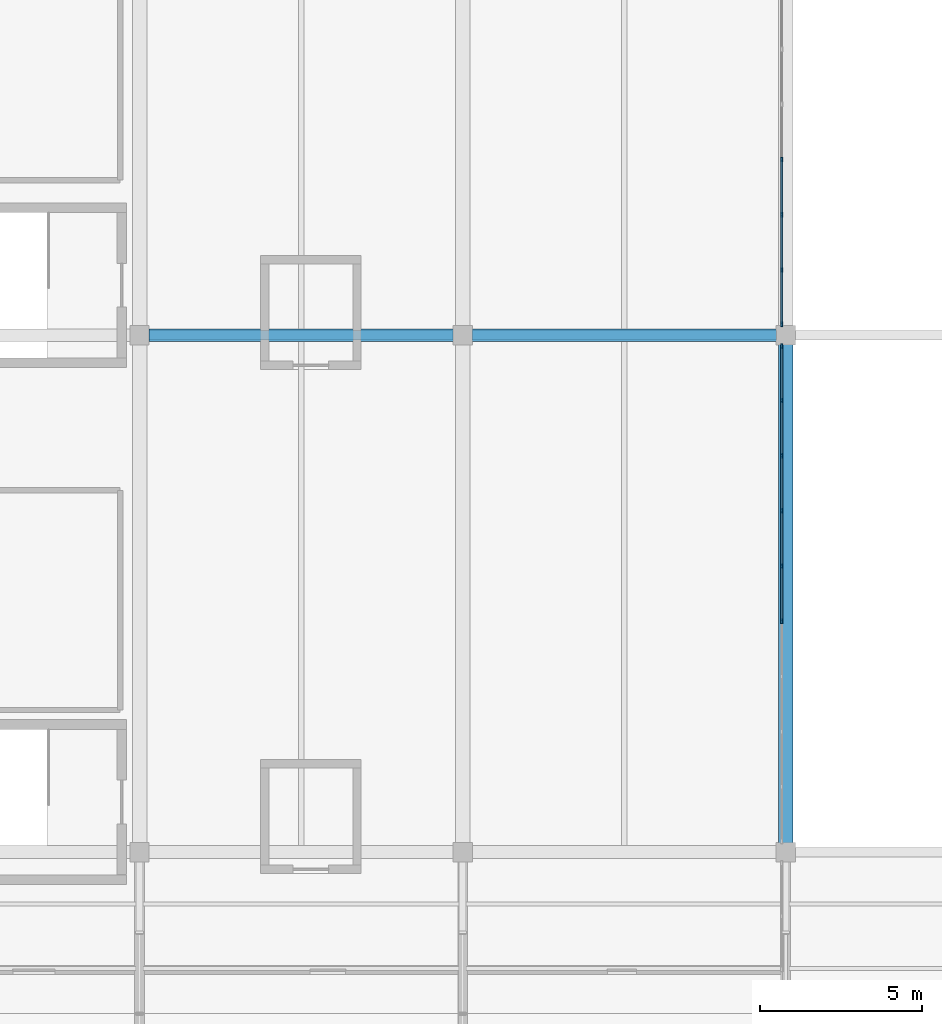
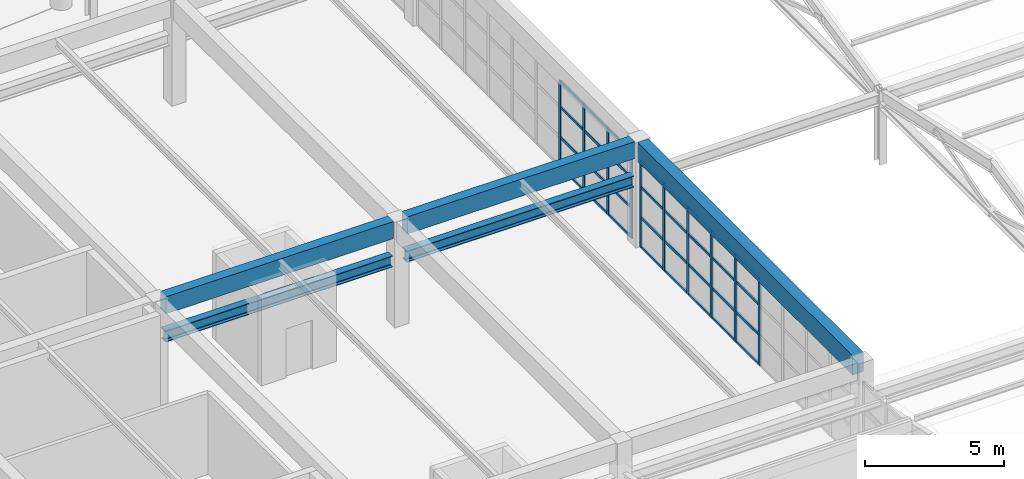
# One storey, part 26 of 109: 42 members, 5 beams, 2 elements without a shape of their own.
"""IFC4 building model written with IfcOpenShell, lengths in metres."""

from ifc_helpers import new_model, si_unit, direction, frame, origin, origin_2d, place, context, subcontext, project, spatial, rectangle, i_section, extrude, material, layer, layer_set, material_profile, profile_set, type_object, element, aggregate, save


model = new_model("IFC4")

# Units and contexts
model_context = context("Model", 3, precision=1e-05, world=origin(), true_north=direction((0.0, 1.0)))
body_context = subcontext(model_context, "Body", "Model", "MODEL_VIEW")
ifc_project = project(units=[si_unit("LENGTHUNIT", "METRE"), si_unit("AREAUNIT", "SQUARE_METRE"), si_unit("VOLUMEUNIT", "CUBIC_METRE"), si_unit("PLANEANGLEUNIT", "RADIAN"), si_unit("MASSUNIT", "GRAM", prefix="KILO")], contexts=[model_context])

# Site, building, storey
site_placement = place(None, origin())
site = spatial("IfcSite", under=ifc_project, at=site_placement, CompositionType="ELEMENT")
building_placement = place(site_placement, origin())
building = spatial("IfcBuilding", under=site, at=building_placement, Name="Kivolera Central Railway Station", CompositionType="ELEMENT")
storey_placement = place(building_placement, frame((0.0, 0.0, 9.60009765625)))
storey = spatial("IfcBuildingStorey", under=building, at=storey_placement, Name="L02", CompositionType="ELEMENT", Elevation=9.60009765625)

# Beams
ifc_material_1 = material(Name="Concrete C40/50", Category="concrete")
ifc_material_profile_1 = material_profile(ifc_material_1, rectangle(XDim=0.39990234375, YDim=0.75, at=origin_2d()), Name="RC 400x750")
ifc_profile_set_1 = profile_set([ifc_material_profile_1], Name="Concrete C40/50")
beam_type_1 = type_object("IfcBeamType", Name="BM-RC-400x750", PredefinedType="BEAM", material=ifc_profile_set_1)
for number, where, z_axis, x_axis, name in (
    (1, (68.287109375, 32.0, 4.224853515625), (1.0, 0.0, 0.0), (0.0, 1.0, 0.0), "L02 Over-Track Bridge Transverse Girder C:7-8"),
    (2, (78.287109375, 32.0, 4.224853515625), (1.0, 0.0, 0.0), (0.0, 1.0, 0.0), "L02 Over-Track Bridge Transverse Girder C:8-9"),
):
    element("IfcBeam", number, at=place(storey_placement, frame(where, z_axis=z_axis, x_axis=x_axis)), inside=storey, type_object=beam_type_1, Name=name, PredefinedType="BEAM", context=body_context, shape_type="SweptSolid", body=[
        extrude(rectangle(XDim=0.39990234375, YDim=0.75, at=origin_2d()), origin(), (0.0, 0.0, 1.0), 9.42578125),
    ])
ifc_material_profile_2 = material_profile(ifc_material_1, rectangle(XDim=0.449951171875, YDim=0.85009765625, at=origin_2d()), Name="RC 450x850")
ifc_profile_set_2 = profile_set([ifc_material_profile_2], Name="Concrete C40/50")
beam_type_2 = type_object("IfcBeamType", Name="BM-RC-450x850", PredefinedType="BEAM", material=ifc_profile_set_2)
beam_placement = place(storey_placement, frame((88.0, 16.287109375, 4.1748046875), z_axis=(0.0, 1.0, 0.0), x_axis=(-1.0, 0.0, 0.0)))
element("IfcBeam", 3, at=beam_placement, inside=storey, type_object=beam_type_2, Name="L02 Over-Track Concourse Bridge Girder 9:B-C", PredefinedType="BEAM", context=body_context, shape_type="SweptSolid", body=[
    extrude(rectangle(XDim=0.449951171875, YDim=0.85009765625, at=origin_2d()), origin(), (0.0, 0.0, 1.0), 15.42578125),
])
ifc_material_2 = material(Name="Steel S355", Category="steel")
ifc_material_profile_3 = material_profile(ifc_material_2, i_section(OverallWidth=0.300048828125, OverallDepth=0.489990234375, WebThickness=0.011962890625, FlangeThickness=0.02294921875, FilletRadius=0.027099609375, at=origin_2d()), Name="HEA 500")
ifc_profile_set_3 = profile_set([ifc_material_profile_3], Name="Steel S355")
beam_type_3 = type_object("IfcBeamType", Name="BM-SHD-HEA500", PredefinedType="BEAM", material=ifc_profile_set_3)
for number, where, z_axis, x_axis, name in (
    (4, (68.2919921875, 32.0, 2.81982421875), (1.0, 0.0, 0.0), (0.0, 1.0, 0.0), "Train Shed Eave Girder C:7-8"),
    (5, (78.2919921875, 32.0, 2.81982421875), (1.0, 0.0, 0.0), (0.0, 1.0, 0.0), "Train Shed Eave Girder C:8-9"),
):
    element("IfcBeam", number, at=place(storey_placement, frame(where, z_axis=z_axis, x_axis=x_axis)), inside=storey, type_object=beam_type_3, Name=name, PredefinedType="BEAM", context=body_context, shape_type="SweptSolid", body=[
        extrude(i_section(OverallWidth=0.300048828125, OverallDepth=0.489990234375, WebThickness=0.011962890625, FlangeThickness=0.02294921875, FilletRadius=0.027099609375, at=origin_2d()), origin(), (0.0, 0.0, 1.0), 9.416015625),
    ])

# Curtain wall, members
ifc_material_3 = material(Name="Anodised aluminium", Category="aluminium")
ifc_layer = layer(ifc_material_3, 0.179931640625, Name="Anodised aluminium")
ifc_layer_set = layer_set([ifc_layer], Name="Anodised aluminium")
curtain_wall_type = type_object("IfcCurtainWallType", Name="CW-SYS-18", PredefinedType="NOTDEFINED", material=ifc_layer_set)
curtain_wall_1_placement = place(storey_placement, origin())
curtain_wall_1 = element("IfcCurtainWall", 6, at=curtain_wall_1_placement, inside=storey, type_object=curtain_wall_type, Name="L02 Curtain Wall CW-L02-BRGE-2", PredefinedType="NOTDEFINED")
ifc_material_profile_4 = material_profile(ifc_material_3, rectangle(XDim=0.06005859375, YDim=0.14990234375, at=origin_2d()), Name="ALU MULL 60x150")
ifc_profile_set_4 = profile_set([ifc_material_profile_4], Name="Anodised aluminium")
member_type_1 = type_object("IfcMemberType", Name="CWM-MUL-2", PredefinedType="MULLION", material=ifc_profile_set_4)
member_1_placement = place(storey_placement, frame((87.8798828125, 31.659912109375, -0.005126953125), z_axis=(0.0, 0.0, 1.0), x_axis=(1.0, 0.0, 0.0)))
member_1 = element("IfcMember", 7, at=member_1_placement, type_object=member_type_1, Name="CW-18 mullion 1", PredefinedType="MULLION", context=body_context, shape_type="SweptSolid", body=[
    extrude(rectangle(XDim=0.06005859375, YDim=0.14990234375, at=origin_2d()), origin(), (0.0, 0.0, 1.0), 3.804931640625),
])
member_2_placement = place(storey_placement, frame((87.8798828125, 29.981201171875, -0.005126953125), z_axis=(0.0, 0.0, 1.0), x_axis=(1.0, 0.0, 0.0)))
member_2 = element("IfcMember", 8, at=member_2_placement, type_object=member_type_1, Name="CW-18 mullion 2", PredefinedType="MULLION", context=body_context, shape_type="SweptSolid", body=[
    extrude(rectangle(XDim=0.06005859375, YDim=0.14990234375, at=origin_2d()), origin(), (0.0, 0.0, 1.0), 3.804931640625),
])
member_3_placement = place(storey_placement, frame((87.8798828125, 28.272216796875, -0.005126953125), z_axis=(0.0, 0.0, 1.0), x_axis=(1.0, 0.0, 0.0)))
member_3 = element("IfcMember", 9, at=member_3_placement, type_object=member_type_1, Name="CW-18 mullion 3", PredefinedType="MULLION", context=body_context, shape_type="SweptSolid", body=[
    extrude(rectangle(XDim=0.06005859375, YDim=0.14990234375, at=origin_2d()), origin(), (0.0, 0.0, 1.0), 3.804931640625),
])
member_4_placement = place(storey_placement, frame((87.8798828125, 26.563232421875, -0.005126953125), z_axis=(0.0, 0.0, 1.0), x_axis=(1.0, 0.0, 0.0)))
member_4 = element("IfcMember", 10, at=member_4_placement, type_object=member_type_1, Name="CW-18 mullion 4", PredefinedType="MULLION", context=body_context, shape_type="SweptSolid", body=[
    extrude(rectangle(XDim=0.06005859375, YDim=0.14990234375, at=origin_2d()), origin(), (0.0, 0.0, 1.0), 3.804931640625),
])
member_5_placement = place(storey_placement, frame((87.8798828125, 24.8544921875, -0.005126953125), z_axis=(0.0, 0.0, 1.0), x_axis=(1.0, 0.0, 0.0)))
member_5 = element("IfcMember", 11, at=member_5_placement, type_object=member_type_1, Name="CW-18 mullion 5", PredefinedType="MULLION", context=body_context, shape_type="SweptSolid", body=[
    extrude(rectangle(XDim=0.06005859375, YDim=0.14990234375, at=origin_2d()), origin(), (0.0, 0.0, 1.0), 3.804931640625),
])
member_6_placement = place(storey_placement, frame((87.8798828125, 23.1455078125, -0.005126953125), z_axis=(0.0, 0.0, 1.0), x_axis=(1.0, 0.0, 0.0)))
member_6 = element("IfcMember", 12, at=member_6_placement, type_object=member_type_1, Name="CW-18 mullion 6", PredefinedType="MULLION", context=body_context, shape_type="SweptSolid", body=[
    extrude(rectangle(XDim=0.06005859375, YDim=0.14990234375, at=origin_2d()), origin(), (0.0, 0.0, 1.0), 3.804931640625),
])

curtain_wall_2_placement = place(storey_placement, origin())
curtain_wall_2 = element("IfcCurtainWall", 13, at=curtain_wall_2_placement, inside=storey, type_object=curtain_wall_type, Name="L02 Curtain Wall CW-L02-BRGE-3", PredefinedType="NOTDEFINED")
member_7_placement = place(storey_placement, frame((87.8798828125, 37.436767578125, -0.005126953125), z_axis=(0.0, 0.0, 1.0), x_axis=(1.0, 0.0, 0.0)))
member_7 = element("IfcMember", 14, at=member_7_placement, type_object=member_type_1, Name="CW-18 mullion 7", PredefinedType="MULLION", context=body_context, shape_type="SweptSolid", body=[
    extrude(rectangle(XDim=0.06005859375, YDim=0.14990234375, at=origin_2d()), origin(), (0.0, 0.0, 1.0), 3.804931640625),
])
member_8_placement = place(storey_placement, frame((87.8798828125, 35.727783203125, -0.005126953125), z_axis=(0.0, 0.0, 1.0), x_axis=(1.0, 0.0, 0.0)))
member_8 = element("IfcMember", 15, at=member_8_placement, type_object=member_type_1, Name="CW-18 mullion 8", PredefinedType="MULLION", context=body_context, shape_type="SweptSolid", body=[
    extrude(rectangle(XDim=0.06005859375, YDim=0.14990234375, at=origin_2d()), origin(), (0.0, 0.0, 1.0), 3.804931640625),
])
member_9_placement = place(storey_placement, frame((87.8798828125, 34.018798828125, -0.005126953125), z_axis=(0.0, 0.0, 1.0), x_axis=(1.0, 0.0, 0.0)))
member_9 = element("IfcMember", 16, at=member_9_placement, type_object=member_type_1, Name="CW-18 mullion 9", PredefinedType="MULLION", context=body_context, shape_type="SweptSolid", body=[
    extrude(rectangle(XDim=0.06005859375, YDim=0.14990234375, at=origin_2d()), origin(), (0.0, 0.0, 1.0), 3.804931640625),
])
member_10_placement = place(storey_placement, frame((87.8798828125, 32.340087890625, -0.005126953125), z_axis=(0.0, 0.0, 1.0), x_axis=(1.0, 0.0, 0.0)))
member_10 = element("IfcMember", 17, at=member_10_placement, type_object=member_type_1, Name="CW-18 mullion 10", PredefinedType="MULLION", context=body_context, shape_type="SweptSolid", body=[
    extrude(rectangle(XDim=0.06005859375, YDim=0.14990234375, at=origin_2d()), origin(), (0.0, 0.0, 1.0), 3.804931640625),
])

# Member
ifc_material_profile_5 = material_profile(ifc_material_3, rectangle(XDim=0.06005859375, YDim=0.1201171875, at=origin_2d()), Name="ALU TRAN 60x120")
ifc_profile_set_5 = profile_set([ifc_material_profile_5], Name="Anodised aluminium")
member_type_2 = type_object("IfcMemberType", Name="CWM-TRN-2", PredefinedType="USERDEFINED", material=ifc_profile_set_5)
member_11_placement = place(storey_placement, frame((87.8798828125, 31.6298828125, 0.02978515625), z_axis=(0.0, -1.0, 0.0), x_axis=(1.0, 0.0, 0.0)))
member_11 = element("IfcMember", 18, at=member_11_placement, type_object=member_type_2, Name="CW-18 transom 1.1", ObjectType="TRANSOM", PredefinedType="USERDEFINED", context=body_context, shape_type="SweptSolid", body=[
    extrude(rectangle(XDim=0.06005859375, YDim=0.1201171875, at=origin_2d()), origin(), (0.0, 0.0, 1.0), 1.61865234375),
])

member_12_placement = place(storey_placement, frame((87.8798828125, 31.6298828125, 1.329833984375), z_axis=(0.0, -1.0, 0.0), x_axis=(1.0, 0.0, 0.0)))
member_12 = element("IfcMember", 19, at=member_12_placement, type_object=member_type_2, Name="CW-18 transom 1.2", ObjectType="TRANSOM", PredefinedType="USERDEFINED", context=body_context, shape_type="SweptSolid", body=[
    extrude(rectangle(XDim=0.06005859375, YDim=0.1201171875, at=origin_2d()), origin(), (0.0, 0.0, 1.0), 1.61865234375),
])

member_13_placement = place(storey_placement, frame((87.8798828125, 31.6298828125, 2.659912109375), z_axis=(0.0, -1.0, 0.0), x_axis=(1.0, 0.0, 0.0)))
member_13 = element("IfcMember", 20, at=member_13_placement, type_object=member_type_2, Name="CW-18 transom 1.3", ObjectType="TRANSOM", PredefinedType="USERDEFINED", context=body_context, shape_type="SweptSolid", body=[
    extrude(rectangle(XDim=0.06005859375, YDim=0.1201171875, at=origin_2d()), origin(), (0.0, 0.0, 1.0), 1.61865234375),
])

member_14_placement = place(storey_placement, frame((87.8798828125, 31.6298828125, 3.77001953125), z_axis=(0.0, -1.0, 0.0), x_axis=(1.0, 0.0, 0.0)))
member_14 = element("IfcMember", 21, at=member_14_placement, type_object=member_type_2, Name="CW-18 transom 1.4", ObjectType="TRANSOM", PredefinedType="USERDEFINED", context=body_context, shape_type="SweptSolid", body=[
    extrude(rectangle(XDim=0.06005859375, YDim=0.1201171875, at=origin_2d()), origin(), (0.0, 0.0, 1.0), 1.61865234375),
])

member_15_placement = place(storey_placement, frame((87.8798828125, 29.951171875, 0.02978515625), z_axis=(0.0, -1.0, 0.0), x_axis=(1.0, 0.0, 0.0)))
member_15 = element("IfcMember", 22, at=member_15_placement, type_object=member_type_2, Name="CW-18 transom 2.1", ObjectType="TRANSOM", PredefinedType="USERDEFINED", context=body_context, shape_type="SweptSolid", body=[
    extrude(rectangle(XDim=0.06005859375, YDim=0.1201171875, at=origin_2d()), origin(), (0.0, 0.0, 1.0), 1.64892578125),
])

member_16_placement = place(storey_placement, frame((87.8798828125, 29.951171875, 1.329833984375), z_axis=(0.0, -1.0, 0.0), x_axis=(1.0, 0.0, 0.0)))
member_16 = element("IfcMember", 23, at=member_16_placement, type_object=member_type_2, Name="CW-18 transom 2.2", ObjectType="TRANSOM", PredefinedType="USERDEFINED", context=body_context, shape_type="SweptSolid", body=[
    extrude(rectangle(XDim=0.06005859375, YDim=0.1201171875, at=origin_2d()), origin(), (0.0, 0.0, 1.0), 1.64892578125),
])

member_17_placement = place(storey_placement, frame((87.8798828125, 29.951171875, 2.659912109375), z_axis=(0.0, -1.0, 0.0), x_axis=(1.0, 0.0, 0.0)))
member_17 = element("IfcMember", 24, at=member_17_placement, type_object=member_type_2, Name="CW-18 transom 2.3", ObjectType="TRANSOM", PredefinedType="USERDEFINED", context=body_context, shape_type="SweptSolid", body=[
    extrude(rectangle(XDim=0.06005859375, YDim=0.1201171875, at=origin_2d()), origin(), (0.0, 0.0, 1.0), 1.64892578125),
])

member_18_placement = place(storey_placement, frame((87.8798828125, 29.951171875, 3.77001953125), z_axis=(0.0, -1.0, 0.0), x_axis=(1.0, 0.0, 0.0)))
member_18 = element("IfcMember", 25, at=member_18_placement, type_object=member_type_2, Name="CW-18 transom 2.4", ObjectType="TRANSOM", PredefinedType="USERDEFINED", context=body_context, shape_type="SweptSolid", body=[
    extrude(rectangle(XDim=0.06005859375, YDim=0.1201171875, at=origin_2d()), origin(), (0.0, 0.0, 1.0), 1.64892578125),
])

member_19_placement = place(storey_placement, frame((87.8798828125, 28.2421875, 0.02978515625), z_axis=(0.0, -1.0, 0.0), x_axis=(1.0, 0.0, 0.0)))
member_19 = element("IfcMember", 26, at=member_19_placement, type_object=member_type_2, Name="CW-18 transom 3.1", ObjectType="TRANSOM", PredefinedType="USERDEFINED", context=body_context, shape_type="SweptSolid", body=[
    extrude(rectangle(XDim=0.06005859375, YDim=0.1201171875, at=origin_2d()), origin(), (0.0, 0.0, 1.0), 1.64892578125),
])

member_20_placement = place(storey_placement, frame((87.8798828125, 28.2421875, 1.329833984375), z_axis=(0.0, -1.0, 0.0), x_axis=(1.0, 0.0, 0.0)))
member_20 = element("IfcMember", 27, at=member_20_placement, type_object=member_type_2, Name="CW-18 transom 3.2", ObjectType="TRANSOM", PredefinedType="USERDEFINED", context=body_context, shape_type="SweptSolid", body=[
    extrude(rectangle(XDim=0.06005859375, YDim=0.1201171875, at=origin_2d()), origin(), (0.0, 0.0, 1.0), 1.64892578125),
])

member_21_placement = place(storey_placement, frame((87.8798828125, 28.2421875, 2.659912109375), z_axis=(0.0, -1.0, 0.0), x_axis=(1.0, 0.0, 0.0)))
member_21 = element("IfcMember", 28, at=member_21_placement, type_object=member_type_2, Name="CW-18 transom 3.3", ObjectType="TRANSOM", PredefinedType="USERDEFINED", context=body_context, shape_type="SweptSolid", body=[
    extrude(rectangle(XDim=0.06005859375, YDim=0.1201171875, at=origin_2d()), origin(), (0.0, 0.0, 1.0), 1.64892578125),
])

member_22_placement = place(storey_placement, frame((87.8798828125, 28.2421875, 3.77001953125), z_axis=(0.0, -1.0, 0.0), x_axis=(1.0, 0.0, 0.0)))
member_22 = element("IfcMember", 29, at=member_22_placement, type_object=member_type_2, Name="CW-18 transom 3.4", ObjectType="TRANSOM", PredefinedType="USERDEFINED", context=body_context, shape_type="SweptSolid", body=[
    extrude(rectangle(XDim=0.06005859375, YDim=0.1201171875, at=origin_2d()), origin(), (0.0, 0.0, 1.0), 1.64892578125),
])

member_23_placement = place(storey_placement, frame((87.8798828125, 26.533447265625, 0.02978515625), z_axis=(0.0, -1.0, 0.0), x_axis=(1.0, 0.0, 0.0)))
member_23 = element("IfcMember", 30, at=member_23_placement, type_object=member_type_2, Name="CW-18 transom 4.1", ObjectType="TRANSOM", PredefinedType="USERDEFINED", context=body_context, shape_type="SweptSolid", body=[
    extrude(rectangle(XDim=0.06005859375, YDim=0.1201171875, at=origin_2d()), origin(), (0.0, 0.0, 1.0), 1.64892578125),
])

member_24_placement = place(storey_placement, frame((87.8798828125, 26.533447265625, 1.329833984375), z_axis=(0.0, -1.0, 0.0), x_axis=(1.0, 0.0, 0.0)))
member_24 = element("IfcMember", 31, at=member_24_placement, type_object=member_type_2, Name="CW-18 transom 4.2", ObjectType="TRANSOM", PredefinedType="USERDEFINED", context=body_context, shape_type="SweptSolid", body=[
    extrude(rectangle(XDim=0.06005859375, YDim=0.1201171875, at=origin_2d()), origin(), (0.0, 0.0, 1.0), 1.64892578125),
])

member_25_placement = place(storey_placement, frame((87.8798828125, 26.533447265625, 2.659912109375), z_axis=(0.0, -1.0, 0.0), x_axis=(1.0, 0.0, 0.0)))
member_25 = element("IfcMember", 32, at=member_25_placement, type_object=member_type_2, Name="CW-18 transom 4.3", ObjectType="TRANSOM", PredefinedType="USERDEFINED", context=body_context, shape_type="SweptSolid", body=[
    extrude(rectangle(XDim=0.06005859375, YDim=0.1201171875, at=origin_2d()), origin(), (0.0, 0.0, 1.0), 1.64892578125),
])

member_26_placement = place(storey_placement, frame((87.8798828125, 26.533447265625, 3.77001953125), z_axis=(0.0, -1.0, 0.0), x_axis=(1.0, 0.0, 0.0)))
member_26 = element("IfcMember", 33, at=member_26_placement, type_object=member_type_2, Name="CW-18 transom 4.4", ObjectType="TRANSOM", PredefinedType="USERDEFINED", context=body_context, shape_type="SweptSolid", body=[
    extrude(rectangle(XDim=0.06005859375, YDim=0.1201171875, at=origin_2d()), origin(), (0.0, 0.0, 1.0), 1.64892578125),
])

member_27_placement = place(storey_placement, frame((87.8798828125, 24.824462890625, 0.02978515625), z_axis=(0.0, -1.0, 0.0), x_axis=(1.0, 0.0, 0.0)))
member_27 = element("IfcMember", 34, at=member_27_placement, type_object=member_type_2, Name="CW-18 transom 5.1", ObjectType="TRANSOM", PredefinedType="USERDEFINED", context=body_context, shape_type="SweptSolid", body=[
    extrude(rectangle(XDim=0.06005859375, YDim=0.1201171875, at=origin_2d()), origin(), (0.0, 0.0, 1.0), 1.64892578125),
])

member_28_placement = place(storey_placement, frame((87.8798828125, 24.824462890625, 1.329833984375), z_axis=(0.0, -1.0, 0.0), x_axis=(1.0, 0.0, 0.0)))
member_28 = element("IfcMember", 35, at=member_28_placement, type_object=member_type_2, Name="CW-18 transom 5.2", ObjectType="TRANSOM", PredefinedType="USERDEFINED", context=body_context, shape_type="SweptSolid", body=[
    extrude(rectangle(XDim=0.06005859375, YDim=0.1201171875, at=origin_2d()), origin(), (0.0, 0.0, 1.0), 1.64892578125),
])

member_29_placement = place(storey_placement, frame((87.8798828125, 24.824462890625, 2.659912109375), z_axis=(0.0, -1.0, 0.0), x_axis=(1.0, 0.0, 0.0)))
member_29 = element("IfcMember", 36, at=member_29_placement, type_object=member_type_2, Name="CW-18 transom 5.3", ObjectType="TRANSOM", PredefinedType="USERDEFINED", context=body_context, shape_type="SweptSolid", body=[
    extrude(rectangle(XDim=0.06005859375, YDim=0.1201171875, at=origin_2d()), origin(), (0.0, 0.0, 1.0), 1.64892578125),
])

member_30_placement = place(storey_placement, frame((87.8798828125, 24.824462890625, 3.77001953125), z_axis=(0.0, -1.0, 0.0), x_axis=(1.0, 0.0, 0.0)))
member_30 = element("IfcMember", 37, at=member_30_placement, type_object=member_type_2, Name="CW-18 transom 5.4", ObjectType="TRANSOM", PredefinedType="USERDEFINED", context=body_context, shape_type="SweptSolid", body=[
    extrude(rectangle(XDim=0.06005859375, YDim=0.1201171875, at=origin_2d()), origin(), (0.0, 0.0, 1.0), 1.64892578125),
])

aggregate(curtain_wall_1, [member_1, member_2, member_3, member_4, member_5, member_6, member_11, member_12, member_13, member_14, member_15, member_16, member_17, member_18, member_19, member_20, member_21, member_22, member_23, member_24, member_25, member_26, member_27, member_28, member_29, member_30])

member_31_placement = place(storey_placement, frame((87.8798828125, 37.40673828125, 0.02978515625), z_axis=(0.0, -1.0, 0.0), x_axis=(1.0, 0.0, 0.0)))
member_31 = element("IfcMember", 38, at=member_31_placement, type_object=member_type_2, Name="CW-18 transom 7.1", ObjectType="TRANSOM", PredefinedType="USERDEFINED", context=body_context, shape_type="SweptSolid", body=[
    extrude(rectangle(XDim=0.06005859375, YDim=0.1201171875, at=origin_2d()), origin(), (0.0, 0.0, 1.0), 1.64892578125),
])

member_32_placement = place(storey_placement, frame((87.8798828125, 37.40673828125, 1.329833984375), z_axis=(0.0, -1.0, 0.0), x_axis=(1.0, 0.0, 0.0)))
member_32 = element("IfcMember", 39, at=member_32_placement, type_object=member_type_2, Name="CW-18 transom 7.2", ObjectType="TRANSOM", PredefinedType="USERDEFINED", context=body_context, shape_type="SweptSolid", body=[
    extrude(rectangle(XDim=0.06005859375, YDim=0.1201171875, at=origin_2d()), origin(), (0.0, 0.0, 1.0), 1.64892578125),
])

member_33_placement = place(storey_placement, frame((87.8798828125, 37.40673828125, 2.659912109375), z_axis=(0.0, -1.0, 0.0), x_axis=(1.0, 0.0, 0.0)))
member_33 = element("IfcMember", 40, at=member_33_placement, type_object=member_type_2, Name="CW-18 transom 7.3", ObjectType="TRANSOM", PredefinedType="USERDEFINED", context=body_context, shape_type="SweptSolid", body=[
    extrude(rectangle(XDim=0.06005859375, YDim=0.1201171875, at=origin_2d()), origin(), (0.0, 0.0, 1.0), 1.64892578125),
])

member_34_placement = place(storey_placement, frame((87.8798828125, 37.40673828125, 3.77001953125), z_axis=(0.0, -1.0, 0.0), x_axis=(1.0, 0.0, 0.0)))
member_34 = element("IfcMember", 41, at=member_34_placement, type_object=member_type_2, Name="CW-18 transom 7.4", ObjectType="TRANSOM", PredefinedType="USERDEFINED", context=body_context, shape_type="SweptSolid", body=[
    extrude(rectangle(XDim=0.06005859375, YDim=0.1201171875, at=origin_2d()), origin(), (0.0, 0.0, 1.0), 1.64892578125),
])

member_35_placement = place(storey_placement, frame((87.8798828125, 35.69775390625, 0.02978515625), z_axis=(0.0, -1.0, 0.0), x_axis=(1.0, 0.0, 0.0)))
member_35 = element("IfcMember", 42, at=member_35_placement, type_object=member_type_2, Name="CW-18 transom 8.1", ObjectType="TRANSOM", PredefinedType="USERDEFINED", context=body_context, shape_type="SweptSolid", body=[
    extrude(rectangle(XDim=0.06005859375, YDim=0.1201171875, at=origin_2d()), origin(), (0.0, 0.0, 1.0), 1.64892578125),
])

member_36_placement = place(storey_placement, frame((87.8798828125, 35.69775390625, 1.329833984375), z_axis=(0.0, -1.0, 0.0), x_axis=(1.0, 0.0, 0.0)))
member_36 = element("IfcMember", 43, at=member_36_placement, type_object=member_type_2, Name="CW-18 transom 8.2", ObjectType="TRANSOM", PredefinedType="USERDEFINED", context=body_context, shape_type="SweptSolid", body=[
    extrude(rectangle(XDim=0.06005859375, YDim=0.1201171875, at=origin_2d()), origin(), (0.0, 0.0, 1.0), 1.64892578125),
])

member_37_placement = place(storey_placement, frame((87.8798828125, 35.69775390625, 2.659912109375), z_axis=(0.0, -1.0, 0.0), x_axis=(1.0, 0.0, 0.0)))
member_37 = element("IfcMember", 44, at=member_37_placement, type_object=member_type_2, Name="CW-18 transom 8.3", ObjectType="TRANSOM", PredefinedType="USERDEFINED", context=body_context, shape_type="SweptSolid", body=[
    extrude(rectangle(XDim=0.06005859375, YDim=0.1201171875, at=origin_2d()), origin(), (0.0, 0.0, 1.0), 1.64892578125),
])

member_38_placement = place(storey_placement, frame((87.8798828125, 35.69775390625, 3.77001953125), z_axis=(0.0, -1.0, 0.0), x_axis=(1.0, 0.0, 0.0)))
member_38 = element("IfcMember", 45, at=member_38_placement, type_object=member_type_2, Name="CW-18 transom 8.4", ObjectType="TRANSOM", PredefinedType="USERDEFINED", context=body_context, shape_type="SweptSolid", body=[
    extrude(rectangle(XDim=0.06005859375, YDim=0.1201171875, at=origin_2d()), origin(), (0.0, 0.0, 1.0), 1.64892578125),
])

member_39_placement = place(storey_placement, frame((87.8798828125, 33.98876953125, 0.02978515625), z_axis=(0.0, -1.0, 0.0), x_axis=(1.0, 0.0, 0.0)))
member_39 = element("IfcMember", 46, at=member_39_placement, type_object=member_type_2, Name="CW-18 transom 9.1", ObjectType="TRANSOM", PredefinedType="USERDEFINED", context=body_context, shape_type="SweptSolid", body=[
    extrude(rectangle(XDim=0.06005859375, YDim=0.1201171875, at=origin_2d()), origin(), (0.0, 0.0, 1.0), 1.61865234375),
])

member_40_placement = place(storey_placement, frame((87.8798828125, 33.98876953125, 1.329833984375), z_axis=(0.0, -1.0, 0.0), x_axis=(1.0, 0.0, 0.0)))
member_40 = element("IfcMember", 47, at=member_40_placement, type_object=member_type_2, Name="CW-18 transom 9.2", ObjectType="TRANSOM", PredefinedType="USERDEFINED", context=body_context, shape_type="SweptSolid", body=[
    extrude(rectangle(XDim=0.06005859375, YDim=0.1201171875, at=origin_2d()), origin(), (0.0, 0.0, 1.0), 1.61865234375),
])

member_41_placement = place(storey_placement, frame((87.8798828125, 33.98876953125, 2.659912109375), z_axis=(0.0, -1.0, 0.0), x_axis=(1.0, 0.0, 0.0)))
member_41 = element("IfcMember", 48, at=member_41_placement, type_object=member_type_2, Name="CW-18 transom 9.3", ObjectType="TRANSOM", PredefinedType="USERDEFINED", context=body_context, shape_type="SweptSolid", body=[
    extrude(rectangle(XDim=0.06005859375, YDim=0.1201171875, at=origin_2d()), origin(), (0.0, 0.0, 1.0), 1.61865234375),
])

member_42_placement = place(storey_placement, frame((87.8798828125, 33.98876953125, 3.77001953125), z_axis=(0.0, -1.0, 0.0), x_axis=(1.0, 0.0, 0.0)))
member_42 = element("IfcMember", 49, at=member_42_placement, type_object=member_type_2, Name="CW-18 transom 9.4", ObjectType="TRANSOM", PredefinedType="USERDEFINED", context=body_context, shape_type="SweptSolid", body=[
    extrude(rectangle(XDim=0.06005859375, YDim=0.1201171875, at=origin_2d()), origin(), (0.0, 0.0, 1.0), 1.61865234375),
])

aggregate(curtain_wall_2, [member_7, member_8, member_9, member_10, member_31, member_32, member_33, member_34, member_35, member_36, member_37, member_38, member_39, member_40, member_41, member_42])

save(model, "model.ifc")
